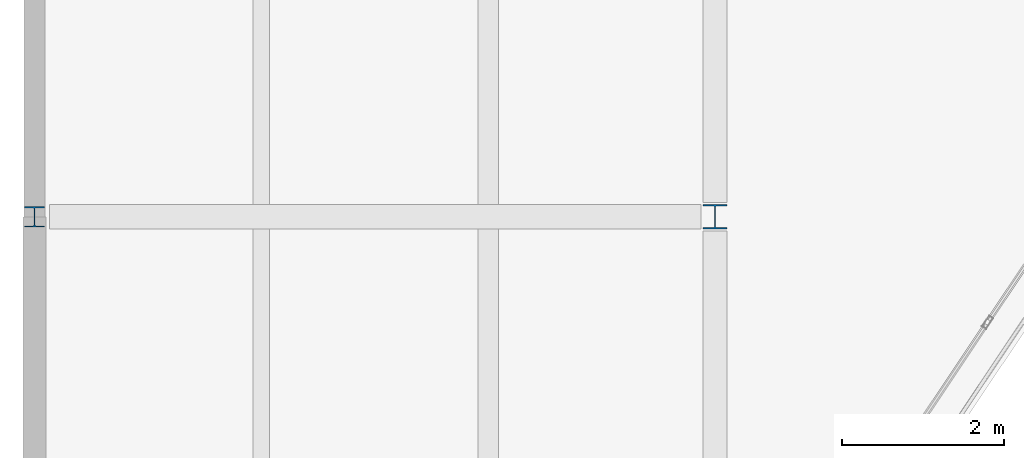
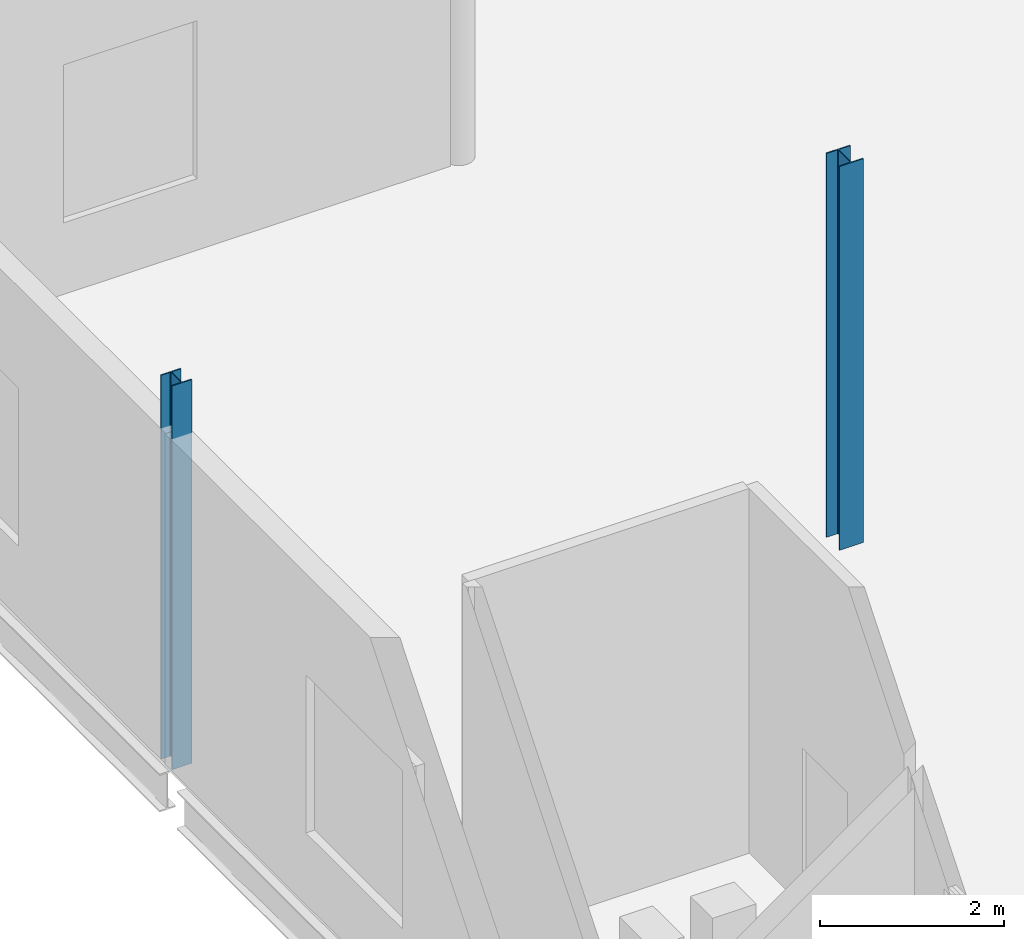
# One storey, part 4 of 91: 2 columns.
"""IFC4 building model written with IfcOpenShell, lengths in metres."""

from ifc_helpers import new_model, si_unit, direction, frame, origin, origin_2d, place, context, subcontext, project, spatial, i_section, extrude, material, material_profile, profile_set, type_object, element, save


model = new_model("IFC4")

# Units and contexts
model_context = context("Model", 3, precision=1e-05, world=origin(), true_north=direction((0.0, 1.0)))
body_context = subcontext(model_context, "Body", "Model", "MODEL_VIEW")
ifc_project = project(units=[si_unit("LENGTHUNIT", "METRE"), si_unit("AREAUNIT", "SQUARE_METRE"), si_unit("VOLUMEUNIT", "CUBIC_METRE"), si_unit("PLANEANGLEUNIT", "RADIAN"), si_unit("MASSUNIT", "GRAM", prefix="KILO"), si_unit("THERMODYNAMICTEMPERATUREUNIT", "KELVIN")], contexts=[model_context])

# Site, building, storey
site_placement = place(None, origin())
site = spatial("IfcSite", under=ifc_project, at=site_placement, CompositionType="ELEMENT")
building_placement = place(site_placement, origin())
building = spatial("IfcBuilding", under=site, at=building_placement, Name="Lustrewick Department Store", CompositionType="ELEMENT")
storey_placement = place(building_placement, frame((0.0, 0.0, 21.60009765625)))
storey = spatial("IfcBuildingStorey", under=building, at=storey_placement, Name="L05", CompositionType="ELEMENT", Elevation=21.60009765625)

# Columns
ifc_material = material(Name="Structural steel Q355B", Category="steel")
ifc_material_profile_1 = material_profile(ifc_material, i_section(OverallWidth=0.300048828125, OverallDepth=0.300048828125, WebThickness=0.010009765625, FlangeThickness=0.014892578125, FilletRadius=0.01806640625, at=origin_2d()), Name="HW 300x300x10x15")
ifc_profile_set_1 = profile_set([ifc_material_profile_1], Name="Structural steel Q355B")
column_type_1 = type_object("IfcColumnType", Name="C15", PredefinedType="COLUMN", material=ifc_profile_set_1)
column_1_placement = place(storey_placement, frame((16.800048828125, 75.60009765625, 0.0), z_axis=(0.0, 0.0, 1.0), x_axis=(1.0, 0.0, 0.0)))
element("IfcColumn", 1, at=column_1_placement, inside=storey, type_object=column_type_1, Name="L05 V1 Column C15", PredefinedType="COLUMN", context=body_context, shape_type="SweptSolid", body=[
    extrude(i_section(OverallWidth=0.300048828125, OverallDepth=0.300048828125, WebThickness=0.010009765625, FlangeThickness=0.014892578125, FilletRadius=0.01806640625, at=origin_2d()), origin(), (0.0, 0.0, 1.0), 5.099853515625),
])
ifc_material_profile_2 = material_profile(ifc_material, i_section(OverallWidth=0.25, OverallDepth=0.25, WebThickness=0.009033203125, FlangeThickness=0.013916015625, FilletRadius=0.01611328125, at=origin_2d()), Name="HW 250x250x9x14")
ifc_profile_set_2 = profile_set([ifc_material_profile_2], Name="Structural steel Q355B")
column_type_2 = type_object("IfcColumnType", Name="CE08", PredefinedType="COLUMN", material=ifc_profile_set_2)
column_2_placement = place(storey_placement, frame((8.39990234375, 75.60009765625, 0.0), z_axis=(0.0, 0.0, 1.0), x_axis=(1.0, 0.0, 0.0)))
element("IfcColumn", 2, at=column_2_placement, inside=storey, type_object=column_type_2, Name="L05 V1 Column CE08", PredefinedType="COLUMN", context=body_context, shape_type="SweptSolid", body=[
    extrude(i_section(OverallWidth=0.25, OverallDepth=0.25, WebThickness=0.009033203125, FlangeThickness=0.013916015625, FilletRadius=0.01611328125, at=origin_2d()), origin(), (0.0, 0.0, 1.0), 5.099853515625),
])

save(model, "model.ifc")
